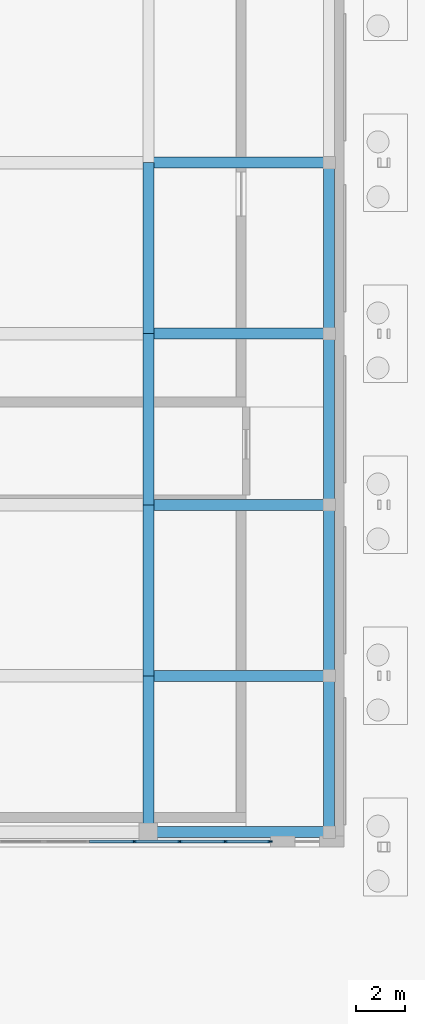
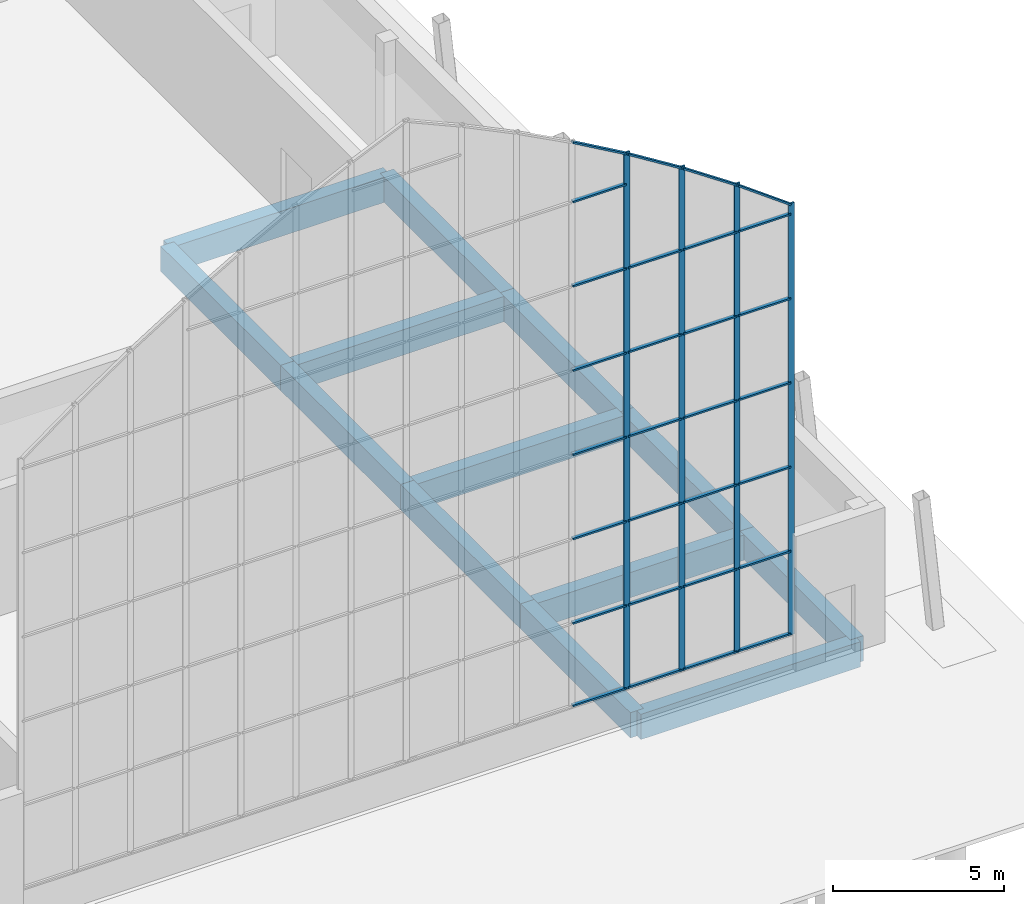
# One storey, part 38 of 144: 33 members, 13 beams, 1 element without a shape of its own.
"""IFC4 building model written with IfcOpenShell, lengths in metres."""

from ifc_helpers import new_model, si_unit, direction, frame, origin, origin_2d, place, context, subcontext, project, spatial, rectangle, extrude, material, layer, layer_set, material_profile, profile_set, type_object, element, aggregate, save


model = new_model("IFC4")

# Units and contexts
model_context = context("Model", 3, precision=1e-05, world=origin(), true_north=direction((0.0, 1.0)))
body_context = subcontext(model_context, "Body", "Model", "MODEL_VIEW")
ifc_project = project(units=[si_unit("LENGTHUNIT", "METRE"), si_unit("AREAUNIT", "SQUARE_METRE"), si_unit("VOLUMEUNIT", "CUBIC_METRE"), si_unit("PLANEANGLEUNIT", "RADIAN"), si_unit("MASSUNIT", "GRAM", prefix="KILO")], contexts=[model_context])

# Site, building, storey
site_placement = place(None, origin())
site = spatial("IfcSite", under=ifc_project, at=site_placement, CompositionType="ELEMENT")
building_placement = place(site_placement, origin())
building = spatial("IfcBuilding", under=site, at=building_placement, Name="Lantern Court Media Centre", CompositionType="ELEMENT")
storey_placement = place(building_placement, origin())
storey = spatial("IfcBuildingStorey", under=building, at=storey_placement, Name="L00", CompositionType="ELEMENT", Elevation=0.0)

# Curtain wall, members
ifc_material_1 = material(Name="Aluminium and glass", Category="aluminium")
ifc_layer = layer(ifc_material_1, 0.14990234375)
ifc_layer_set = layer_set([ifc_layer], Name="Aluminium and glass")
curtain_wall_type = type_object("IfcCurtainWallType", Name="Hall lancet glazing", PredefinedType="NOTDEFINED", material=ifc_layer_set)
curtain_wall_placement = place(storey_placement, origin())
curtain_wall = element("IfcCurtainWall", 1, at=curtain_wall_placement, inside=storey, type_object=curtain_wall_type, Name="Studio Hall HCW-V20 glazing", PredefinedType="NOTDEFINED")
ifc_material_2 = material(Name="Aluminium, anodised", Category="aluminium")
ifc_material_profile_1 = material_profile(ifc_material_2, rectangle(XDim=0.06005859375, YDim=0.199951171875, at=origin_2d()), Name="HM")
ifc_profile_set_1 = profile_set([ifc_material_profile_1], Name="Aluminium, anodised")
member_type_1 = type_object("IfcMemberType", Name="HM", PredefinedType="MULLION", material=ifc_profile_set_1)
member_1_placement = place(storey_placement, frame((95.428466796875, -1.77490234375, 1.199951171875), z_axis=(0.0, 0.0, 1.0), x_axis=(0.0, 1.0, 0.0)))
member_1 = element("IfcMember", 2, at=member_1_placement, type_object=member_type_1, Name="HCW-V20 mullion 12", PredefinedType="MULLION", context=body_context, shape_type="SweptSolid", body=[
    extrude(rectangle(XDim=0.06005859375, YDim=0.199951171875, at=origin_2d()), origin(), (0.0, 0.0, 1.0), 19.124755859375),
])
member_2_placement = place(storey_placement, frame((97.28564453125, -1.77490234375, 1.199951171875), z_axis=(0.0, 0.0, 1.0), x_axis=(0.0, 1.0, 0.0)))
member_2 = element("IfcMember", 3, at=member_2_placement, type_object=member_type_1, Name="HCW-V20 mullion 13", PredefinedType="MULLION", context=body_context, shape_type="SweptSolid", body=[
    extrude(rectangle(XDim=0.06005859375, YDim=0.199951171875, at=origin_2d()), origin(), (0.0, 0.0, 1.0), 17.965576171875),
])
member_3_placement = place(storey_placement, frame((99.142822265625, -1.77490234375, 1.199951171875), z_axis=(0.0, 0.0, 1.0), x_axis=(0.0, 1.0, 0.0)))
member_3 = element("IfcMember", 4, at=member_3_placement, type_object=member_type_1, Name="HCW-V20 mullion 14", PredefinedType="MULLION", context=body_context, shape_type="SweptSolid", body=[
    extrude(rectangle(XDim=0.06005859375, YDim=0.199951171875, at=origin_2d()), origin(), (0.0, 0.0, 1.0), 16.708984375),
])
member_4_placement = place(storey_placement, frame((100.969970703125, -1.77490234375, 1.199951171875), z_axis=(0.0, 0.0, 1.0), x_axis=(0.0, 1.0, 0.0)))
member_4 = element("IfcMember", 5, at=member_4_placement, type_object=member_type_1, Name="HCW-V20 mullion 15", PredefinedType="MULLION", context=body_context, shape_type="SweptSolid", body=[
    extrude(rectangle(XDim=0.06005859375, YDim=0.199951171875, at=origin_2d()), origin(), (0.0, 0.0, 1.0), 15.369873046875),
])
ifc_material_profile_2 = material_profile(ifc_material_2, rectangle(XDim=0.1201171875, YDim=0.06005859375, at=origin_2d()), Name="HT")
ifc_profile_set_2 = profile_set([ifc_material_profile_2], Name="Aluminium, anodised")
member_type_2 = type_object("IfcMemberType", Name="HT", PredefinedType="USERDEFINED", material=ifc_profile_set_2)
member_5_placement = place(storey_placement, frame((93.601318359375, -1.77490234375, 1.260009765625), z_axis=(1.0, 0.0, 0.0), x_axis=(0.0, 1.0, 0.0)))
member_5 = element("IfcMember", 6, at=member_5_placement, type_object=member_type_2, Name="HCW-V20 transom 11.1", ObjectType="TRANSOM", PredefinedType="USERDEFINED", context=body_context, shape_type="SweptSolid", body=[
    extrude(rectangle(XDim=0.1201171875, YDim=0.06005859375, at=origin_2d()), origin(), (0.0, 0.0, 1.0), 1.79736328125),
])
member_6_placement = place(storey_placement, frame((93.601318359375, -1.77490234375, 4.199951171875), z_axis=(1.0, 0.0, 0.0), x_axis=(0.0, 1.0, 0.0)))
member_6 = element("IfcMember", 7, at=member_6_placement, type_object=member_type_2, Name="HCW-V20 transom 11.2", ObjectType="TRANSOM", PredefinedType="USERDEFINED", context=body_context, shape_type="SweptSolid", body=[
    extrude(rectangle(XDim=0.1201171875, YDim=0.06005859375, at=origin_2d()), origin(), (0.0, 0.0, 1.0), 1.79736328125),
])
member_7_placement = place(storey_placement, frame((93.601318359375, -1.77490234375, 7.199951171875), z_axis=(1.0, 0.0, 0.0), x_axis=(0.0, 1.0, 0.0)))
member_7 = element("IfcMember", 8, at=member_7_placement, type_object=member_type_2, Name="HCW-V20 transom 11.3", ObjectType="TRANSOM", PredefinedType="USERDEFINED", context=body_context, shape_type="SweptSolid", body=[
    extrude(rectangle(XDim=0.1201171875, YDim=0.06005859375, at=origin_2d()), origin(), (0.0, 0.0, 1.0), 1.79736328125),
])
member_8_placement = place(storey_placement, frame((93.601318359375, -1.77490234375, 10.199951171875), z_axis=(1.0, 0.0, 0.0), x_axis=(0.0, 1.0, 0.0)))
member_8 = element("IfcMember", 9, at=member_8_placement, type_object=member_type_2, Name="HCW-V20 transom 11.4", ObjectType="TRANSOM", PredefinedType="USERDEFINED", context=body_context, shape_type="SweptSolid", body=[
    extrude(rectangle(XDim=0.1201171875, YDim=0.06005859375, at=origin_2d()), origin(), (0.0, 0.0, 1.0), 1.79736328125),
])
member_9_placement = place(storey_placement, frame((93.601318359375, -1.77490234375, 13.199951171875), z_axis=(1.0, 0.0, 0.0), x_axis=(0.0, 1.0, 0.0)))
member_9 = element("IfcMember", 10, at=member_9_placement, type_object=member_type_2, Name="HCW-V20 transom 11.5", ObjectType="TRANSOM", PredefinedType="USERDEFINED", context=body_context, shape_type="SweptSolid", body=[
    extrude(rectangle(XDim=0.1201171875, YDim=0.06005859375, at=origin_2d()), origin(), (0.0, 0.0, 1.0), 1.79736328125),
])
member_10_placement = place(storey_placement, frame((93.601318359375, -1.77490234375, 16.199951171875), z_axis=(1.0, 0.0, 0.0), x_axis=(0.0, 1.0, 0.0)))
member_10 = element("IfcMember", 11, at=member_10_placement, type_object=member_type_2, Name="HCW-V20 transom 11.6", ObjectType="TRANSOM", PredefinedType="USERDEFINED", context=body_context, shape_type="SweptSolid", body=[
    extrude(rectangle(XDim=0.1201171875, YDim=0.06005859375, at=origin_2d()), origin(), (0.0, 0.0, 1.0), 1.79736328125),
])
member_11_placement = place(storey_placement, frame((93.601318359375, -1.77490234375, 19.199951171875), z_axis=(1.0, 0.0, 0.0), x_axis=(0.0, 1.0, 0.0)))
member_11 = element("IfcMember", 12, at=member_11_placement, type_object=member_type_2, Name="HCW-V20 transom 11.7", ObjectType="TRANSOM", PredefinedType="USERDEFINED", context=body_context, shape_type="SweptSolid", body=[
    extrude(rectangle(XDim=0.1201171875, YDim=0.06005859375, at=origin_2d()), origin(), (0.0, 0.0, 1.0), 1.79736328125),
])
member_12_placement = place(storey_placement, frame((93.601318359375, -1.77490234375, 21.31591796875), z_axis=(0.866913935751, 0.0, -0.498457849774), x_axis=(0.0, 1.0, 0.0)))
member_12 = element("IfcMember", 13, at=member_12_placement, type_object=member_type_2, Name="HCW-V20 head member 11", ObjectType="TRANSOM", PredefinedType="USERDEFINED", context=body_context, shape_type="SweptSolid", body=[
    extrude(rectangle(XDim=0.1201171875, YDim=0.06005859375, at=origin_2d()), origin(), (0.0, 0.0, 1.0), 2.0732421875),
])
member_13_placement = place(storey_placement, frame((95.45849609375, -1.77490234375, 1.260009765625), z_axis=(1.0, 0.0, 0.0), x_axis=(0.0, 1.0, 0.0)))
member_13 = element("IfcMember", 14, at=member_13_placement, type_object=member_type_2, Name="HCW-V20 transom 12.1", ObjectType="TRANSOM", PredefinedType="USERDEFINED", context=body_context, shape_type="SweptSolid", body=[
    extrude(rectangle(XDim=0.1201171875, YDim=0.06005859375, at=origin_2d()), origin(), (0.0, 0.0, 1.0), 1.797119140625),
])
member_14_placement = place(storey_placement, frame((95.45849609375, -1.77490234375, 4.199951171875), z_axis=(1.0, 0.0, 0.0), x_axis=(0.0, 1.0, 0.0)))
member_14 = element("IfcMember", 15, at=member_14_placement, type_object=member_type_2, Name="HCW-V20 transom 12.2", ObjectType="TRANSOM", PredefinedType="USERDEFINED", context=body_context, shape_type="SweptSolid", body=[
    extrude(rectangle(XDim=0.1201171875, YDim=0.06005859375, at=origin_2d()), origin(), (0.0, 0.0, 1.0), 1.797119140625),
])
member_15_placement = place(storey_placement, frame((95.45849609375, -1.77490234375, 7.199951171875), z_axis=(1.0, 0.0, 0.0), x_axis=(0.0, 1.0, 0.0)))
member_15 = element("IfcMember", 16, at=member_15_placement, type_object=member_type_2, Name="HCW-V20 transom 12.3", ObjectType="TRANSOM", PredefinedType="USERDEFINED", context=body_context, shape_type="SweptSolid", body=[
    extrude(rectangle(XDim=0.1201171875, YDim=0.06005859375, at=origin_2d()), origin(), (0.0, 0.0, 1.0), 1.797119140625),
])
member_16_placement = place(storey_placement, frame((95.45849609375, -1.77490234375, 10.199951171875), z_axis=(1.0, 0.0, 0.0), x_axis=(0.0, 1.0, 0.0)))
member_16 = element("IfcMember", 17, at=member_16_placement, type_object=member_type_2, Name="HCW-V20 transom 12.4", ObjectType="TRANSOM", PredefinedType="USERDEFINED", context=body_context, shape_type="SweptSolid", body=[
    extrude(rectangle(XDim=0.1201171875, YDim=0.06005859375, at=origin_2d()), origin(), (0.0, 0.0, 1.0), 1.797119140625),
])
member_17_placement = place(storey_placement, frame((95.45849609375, -1.77490234375, 13.199951171875), z_axis=(1.0, 0.0, 0.0), x_axis=(0.0, 1.0, 0.0)))
member_17 = element("IfcMember", 18, at=member_17_placement, type_object=member_type_2, Name="HCW-V20 transom 12.5", ObjectType="TRANSOM", PredefinedType="USERDEFINED", context=body_context, shape_type="SweptSolid", body=[
    extrude(rectangle(XDim=0.1201171875, YDim=0.06005859375, at=origin_2d()), origin(), (0.0, 0.0, 1.0), 1.797119140625),
])
member_18_placement = place(storey_placement, frame((95.45849609375, -1.77490234375, 16.199951171875), z_axis=(1.0, 0.0, 0.0), x_axis=(0.0, 1.0, 0.0)))
member_18 = element("IfcMember", 19, at=member_18_placement, type_object=member_type_2, Name="HCW-V20 transom 12.6", ObjectType="TRANSOM", PredefinedType="USERDEFINED", context=body_context, shape_type="SweptSolid", body=[
    extrude(rectangle(XDim=0.1201171875, YDim=0.06005859375, at=origin_2d()), origin(), (0.0, 0.0, 1.0), 1.797119140625),
])
member_19_placement = place(storey_placement, frame((95.45849609375, -1.77490234375, 20.24658203125), z_axis=(0.848341280723, 0.0, -0.529449781774), x_axis=(0.0, 1.0, 0.0)))
member_19 = element("IfcMember", 20, at=member_19_placement, type_object=member_type_2, Name="HCW-V20 head member 12", ObjectType="TRANSOM", PredefinedType="USERDEFINED", context=body_context, shape_type="SweptSolid", body=[
    extrude(rectangle(XDim=0.1201171875, YDim=0.06005859375, at=origin_2d()), origin(), (0.0, 0.0, 1.0), 2.118408203125),
])
member_20_placement = place(storey_placement, frame((97.315673828125, -1.77490234375, 1.260009765625), z_axis=(1.0, 0.0, 0.0), x_axis=(0.0, 1.0, 0.0)))
member_20 = element("IfcMember", 21, at=member_20_placement, type_object=member_type_2, Name="HCW-V20 transom 13.1", ObjectType="TRANSOM", PredefinedType="USERDEFINED", context=body_context, shape_type="SweptSolid", body=[
    extrude(rectangle(XDim=0.1201171875, YDim=0.06005859375, at=origin_2d()), origin(), (0.0, 0.0, 1.0), 1.797119140625),
])
member_21_placement = place(storey_placement, frame((97.315673828125, -1.77490234375, 4.199951171875), z_axis=(1.0, 0.0, 0.0), x_axis=(0.0, 1.0, 0.0)))
member_21 = element("IfcMember", 22, at=member_21_placement, type_object=member_type_2, Name="HCW-V20 transom 13.2", ObjectType="TRANSOM", PredefinedType="USERDEFINED", context=body_context, shape_type="SweptSolid", body=[
    extrude(rectangle(XDim=0.1201171875, YDim=0.06005859375, at=origin_2d()), origin(), (0.0, 0.0, 1.0), 1.797119140625),
])
member_22_placement = place(storey_placement, frame((97.315673828125, -1.77490234375, 7.199951171875), z_axis=(1.0, 0.0, 0.0), x_axis=(0.0, 1.0, 0.0)))
member_22 = element("IfcMember", 23, at=member_22_placement, type_object=member_type_2, Name="HCW-V20 transom 13.3", ObjectType="TRANSOM", PredefinedType="USERDEFINED", context=body_context, shape_type="SweptSolid", body=[
    extrude(rectangle(XDim=0.1201171875, YDim=0.06005859375, at=origin_2d()), origin(), (0.0, 0.0, 1.0), 1.797119140625),
])
member_23_placement = place(storey_placement, frame((97.315673828125, -1.77490234375, 10.199951171875), z_axis=(1.0, 0.0, 0.0), x_axis=(0.0, 1.0, 0.0)))
member_23 = element("IfcMember", 24, at=member_23_placement, type_object=member_type_2, Name="HCW-V20 transom 13.4", ObjectType="TRANSOM", PredefinedType="USERDEFINED", context=body_context, shape_type="SweptSolid", body=[
    extrude(rectangle(XDim=0.1201171875, YDim=0.06005859375, at=origin_2d()), origin(), (0.0, 0.0, 1.0), 1.797119140625),
])
member_24_placement = place(storey_placement, frame((97.315673828125, -1.77490234375, 13.199951171875), z_axis=(1.0, 0.0, 0.0), x_axis=(0.0, 1.0, 0.0)))
member_24 = element("IfcMember", 25, at=member_24_placement, type_object=member_type_2, Name="HCW-V20 transom 13.5", ObjectType="TRANSOM", PredefinedType="USERDEFINED", context=body_context, shape_type="SweptSolid", body=[
    extrude(rectangle(XDim=0.1201171875, YDim=0.06005859375, at=origin_2d()), origin(), (0.0, 0.0, 1.0), 1.797119140625),
])
member_25_placement = place(storey_placement, frame((97.315673828125, -1.77490234375, 16.199951171875), z_axis=(1.0, 0.0, 0.0), x_axis=(0.0, 1.0, 0.0)))
member_25 = element("IfcMember", 26, at=member_25_placement, type_object=member_type_2, Name="HCW-V20 transom 13.6", ObjectType="TRANSOM", PredefinedType="USERDEFINED", context=body_context, shape_type="SweptSolid", body=[
    extrude(rectangle(XDim=0.1201171875, YDim=0.06005859375, at=origin_2d()), origin(), (0.0, 0.0, 1.0), 1.797119140625),
])
member_26_placement = place(storey_placement, frame((97.315673828125, -1.77490234375, 19.0859375), z_axis=(0.828257302323, 0.0, -0.560347964348), x_axis=(0.0, 1.0, 0.0)))
member_26 = element("IfcMember", 27, at=member_26_placement, type_object=member_type_2, Name="HCW-V20 head member 13", ObjectType="TRANSOM", PredefinedType="USERDEFINED", context=body_context, shape_type="SweptSolid", body=[
    extrude(rectangle(XDim=0.1201171875, YDim=0.06005859375, at=origin_2d()), origin(), (0.0, 0.0, 1.0), 2.169677734375),
])
member_27_placement = place(storey_placement, frame((99.1728515625, -1.77490234375, 1.260009765625), z_axis=(1.0, 0.0, 0.0), x_axis=(0.0, 1.0, 0.0)))
member_27 = element("IfcMember", 28, at=member_27_placement, type_object=member_type_2, Name="HCW-V20 transom 14.1", ObjectType="TRANSOM", PredefinedType="USERDEFINED", context=body_context, shape_type="SweptSolid", body=[
    extrude(rectangle(XDim=0.1201171875, YDim=0.06005859375, at=origin_2d()), origin(), (0.0, 0.0, 1.0), 1.76708984375),
])
member_28_placement = place(storey_placement, frame((99.1728515625, -1.77490234375, 4.199951171875), z_axis=(1.0, 0.0, 0.0), x_axis=(0.0, 1.0, 0.0)))
member_28 = element("IfcMember", 29, at=member_28_placement, type_object=member_type_2, Name="HCW-V20 transom 14.2", ObjectType="TRANSOM", PredefinedType="USERDEFINED", context=body_context, shape_type="SweptSolid", body=[
    extrude(rectangle(XDim=0.1201171875, YDim=0.06005859375, at=origin_2d()), origin(), (0.0, 0.0, 1.0), 1.76708984375),
])
member_29_placement = place(storey_placement, frame((99.1728515625, -1.77490234375, 7.199951171875), z_axis=(1.0, 0.0, 0.0), x_axis=(0.0, 1.0, 0.0)))
member_29 = element("IfcMember", 30, at=member_29_placement, type_object=member_type_2, Name="HCW-V20 transom 14.3", ObjectType="TRANSOM", PredefinedType="USERDEFINED", context=body_context, shape_type="SweptSolid", body=[
    extrude(rectangle(XDim=0.1201171875, YDim=0.06005859375, at=origin_2d()), origin(), (0.0, 0.0, 1.0), 1.76708984375),
])
member_30_placement = place(storey_placement, frame((99.1728515625, -1.77490234375, 10.199951171875), z_axis=(1.0, 0.0, 0.0), x_axis=(0.0, 1.0, 0.0)))
member_30 = element("IfcMember", 31, at=member_30_placement, type_object=member_type_2, Name="HCW-V20 transom 14.4", ObjectType="TRANSOM", PredefinedType="USERDEFINED", context=body_context, shape_type="SweptSolid", body=[
    extrude(rectangle(XDim=0.1201171875, YDim=0.06005859375, at=origin_2d()), origin(), (0.0, 0.0, 1.0), 1.76708984375),
])
member_31_placement = place(storey_placement, frame((99.1728515625, -1.77490234375, 13.199951171875), z_axis=(1.0, 0.0, 0.0), x_axis=(0.0, 1.0, 0.0)))
member_31 = element("IfcMember", 32, at=member_31_placement, type_object=member_type_2, Name="HCW-V20 transom 14.5", ObjectType="TRANSOM", PredefinedType="USERDEFINED", context=body_context, shape_type="SweptSolid", body=[
    extrude(rectangle(XDim=0.1201171875, YDim=0.06005859375, at=origin_2d()), origin(), (0.0, 0.0, 1.0), 1.76708984375),
])
member_32_placement = place(storey_placement, frame((99.1728515625, -1.77490234375, 16.199951171875), z_axis=(1.0, 0.0, 0.0), x_axis=(0.0, 1.0, 0.0)))
member_32 = element("IfcMember", 33, at=member_32_placement, type_object=member_type_2, Name="HCW-V20 transom 14.6", ObjectType="TRANSOM", PredefinedType="USERDEFINED", context=body_context, shape_type="SweptSolid", body=[
    extrude(rectangle(XDim=0.1201171875, YDim=0.06005859375, at=origin_2d()), origin(), (0.0, 0.0, 1.0), 1.76708984375),
])
member_33_placement = place(storey_placement, frame((99.1728515625, -1.77490234375, 17.827880859375), z_axis=(0.8065573048, 0.0, -0.591155913507), x_axis=(0.0, 1.0, 0.0)))
member_33 = element("IfcMember", 34, at=member_33_placement, type_object=member_type_2, Name="HCW-V20 head member 14", ObjectType="TRANSOM", PredefinedType="USERDEFINED", context=body_context, shape_type="SweptSolid", body=[
    extrude(rectangle(XDim=0.1201171875, YDim=0.06005859375, at=origin_2d()), origin(), (0.0, 0.0, 1.0), 2.19091796875),
])
aggregate(curtain_wall, [member_1, member_2, member_3, member_4, member_5, member_6, member_7, member_8, member_9, member_10, member_11, member_12, member_13, member_14, member_15, member_16, member_17, member_18, member_19, member_20, member_21, member_22, member_23, member_24, member_25, member_26, member_27, member_28, member_29, member_30, member_31, member_32, member_33])

# Beams
ifc_material_3 = material(Name="Concrete C35", Category="concrete")
ifc_material_profile_3 = material_profile(ifc_material_3, rectangle(XDim=0.449951171875, YDim=0.89990234375, at=origin_2d()), Name="RC 450x900")
ifc_profile_set_3 = profile_set([ifc_material_profile_3], Name="Concrete C35")
beam_type = type_object("IfcBeamType", Name="RC BEAM 450x900", PredefinedType="BEAM", material=ifc_profile_set_3)
for number, where, z_axis, x_axis, name in (
    (35, (96.0, -1.39990234375, -0.449951171875), (1.0, 0.0, 0.0), (0.0, 1.0, 0.0), "HB-V2-L00-PX0-3"),
    (36, (96.0, 5.0, -0.449951171875), (1.0, 0.0, 0.0), (0.0, 1.0, 0.0), "HB-V2-L00-PX1-3"),
    (37, (96.0, 12.0, -0.449951171875), (1.0, 0.0, 0.0), (0.0, 1.0, 0.0), "HB-V2-L00-PX2-3"),
    (38, (96.0, 19.0, -0.449951171875), (1.0, 0.0, 0.0), (0.0, 1.0, 0.0), "HB-V2-L00-PX3-3"),
    (39, (96.0, 26.0, -0.449951171875), (1.0, 0.0, 0.0), (0.0, 1.0, 0.0), "HB-V2-L00-PX4-3"),
):
    element("IfcBeam", number, at=place(storey_placement, frame(where, z_axis=z_axis, x_axis=x_axis)), inside=storey, type_object=beam_type, Name=name, PredefinedType="BEAM", context=body_context, shape_type="SweptSolid", body=[
        extrude(rectangle(XDim=0.449951171875, YDim=0.89990234375, at=origin_2d()), origin(), (0.0, 0.0, 1.0), 7.39990234375),
    ])
beam_1_placement = place(storey_placement, frame((96.0, -1.39990234375, -0.449951171875), z_axis=(0.0, 1.0, 0.0), x_axis=(-1.0, 0.0, 0.0)))
element("IfcBeam", 40, at=beam_1_placement, inside=storey, type_object=beam_type, Name="HB-V2-L00-PY3-0", PredefinedType="BEAM", context=body_context, shape_type="SweptSolid", body=[
    extrude(rectangle(XDim=0.449951171875, YDim=0.89990234375, at=origin_2d()), origin(), (0.0, 0.0, 1.0), 6.39990234375),
])
for number, where, z_axis, x_axis, name in (
    (41, (96.0, 5.0, -0.449951171875), (0.0, 1.0, 0.0), (-1.0, 0.0, 0.0), "HB-V2-L00-PY3-1"),
    (42, (96.0, 12.0, -0.449951171875), (0.0, 1.0, 0.0), (-1.0, 0.0, 0.0), "HB-V2-L00-PY3-2"),
    (43, (96.0, 19.0, -0.449951171875), (0.0, 1.0, 0.0), (-1.0, 0.0, 0.0), "HB-V2-L00-PY3-3"),
):
    element("IfcBeam", number, at=place(storey_placement, frame(where, z_axis=z_axis, x_axis=x_axis)), inside=storey, type_object=beam_type, Name=name, PredefinedType="BEAM", context=body_context, shape_type="SweptSolid", body=[
        extrude(rectangle(XDim=0.449951171875, YDim=0.89990234375, at=origin_2d()), origin(), (0.0, 0.0, 1.0), 7.0),
    ])
beam_2_placement = place(storey_placement, frame((103.39990234375, -1.39990234375, -0.449951171875), z_axis=(0.0, 1.0, 0.0), x_axis=(-1.0, 0.0, 0.0)))
element("IfcBeam", 44, at=beam_2_placement, inside=storey, type_object=beam_type, Name="HB-V2-L00-PY4-0", PredefinedType="BEAM", context=body_context, shape_type="SweptSolid", body=[
    extrude(rectangle(XDim=0.449951171875, YDim=0.89990234375, at=origin_2d()), origin(), (0.0, 0.0, 1.0), 6.39990234375),
])
for number, where, z_axis, x_axis, name in (
    (45, (103.39990234375, 5.0, -0.449951171875), (0.0, 1.0, 0.0), (-1.0, 0.0, 0.0), "HB-V2-L00-PY4-1"),
    (46, (103.39990234375, 12.0, -0.449951171875), (0.0, 1.0, 0.0), (-1.0, 0.0, 0.0), "HB-V2-L00-PY4-2"),
    (47, (103.39990234375, 19.0, -0.449951171875), (0.0, 1.0, 0.0), (-1.0, 0.0, 0.0), "HB-V2-L00-PY4-3"),
):
    element("IfcBeam", number, at=place(storey_placement, frame(where, z_axis=z_axis, x_axis=x_axis)), inside=storey, type_object=beam_type, Name=name, PredefinedType="BEAM", context=body_context, shape_type="SweptSolid", body=[
        extrude(rectangle(XDim=0.449951171875, YDim=0.89990234375, at=origin_2d()), origin(), (0.0, 0.0, 1.0), 7.0),
    ])

save(model, "model.ifc")
